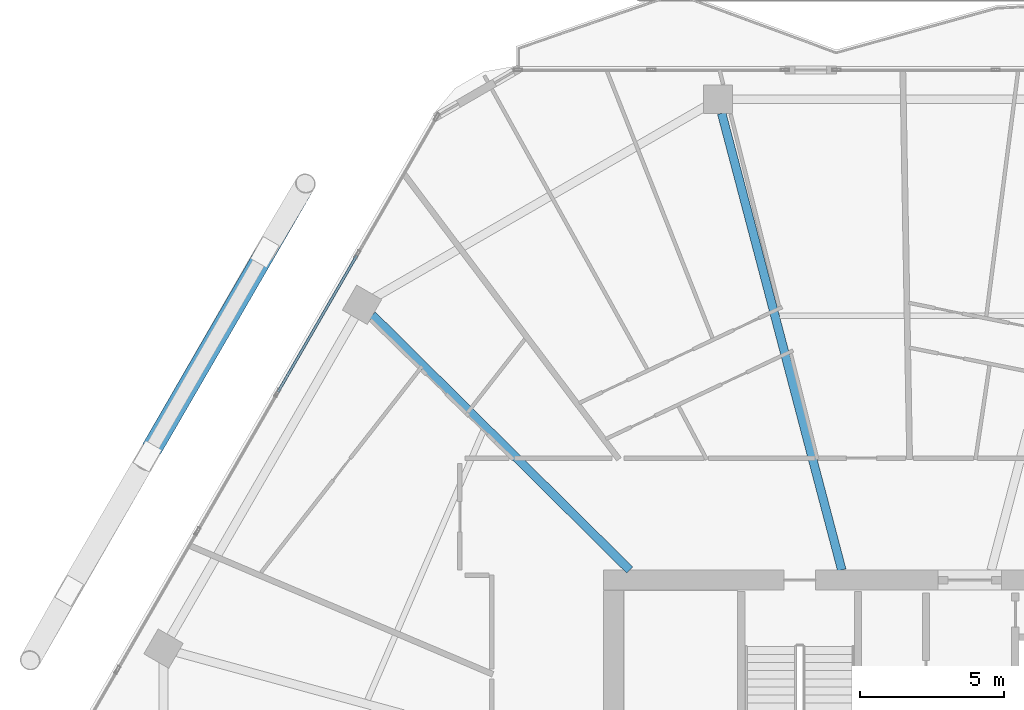
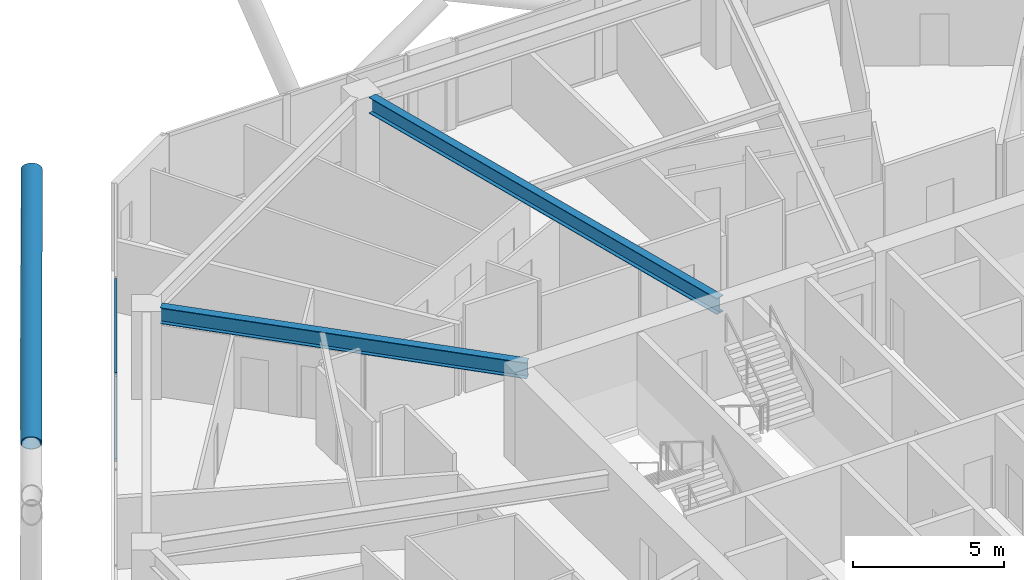
# One storey, part 13 of 29: 3 members, 2 beams, 1 element without a shape of its own.
"""IFC4 building model written with IfcOpenShell, lengths in metres."""

from ifc_helpers import new_model, si_unit, direction, frame, origin, origin_2d, place, context, subcontext, project, spatial, hollow_rectangle, hollow_circle, i_section, extrude, material, material_profile, profile_set, type_object, element, aggregate, save


model = new_model("IFC4")

# Units and contexts
model_context = context("Model", 3, precision=1e-05, world=origin(), true_north=direction((0.0, 1.0)))
body_context = subcontext(model_context, "Body", "Model", "MODEL_VIEW")
ifc_project = project(units=[si_unit("LENGTHUNIT", "METRE"), si_unit("AREAUNIT", "SQUARE_METRE"), si_unit("VOLUMEUNIT", "CUBIC_METRE"), si_unit("PLANEANGLEUNIT", "RADIAN"), si_unit("MASSUNIT", "GRAM", prefix="KILO")], contexts=[model_context])

# Site, building, storey
site_placement = place(None, origin())
site = spatial("IfcSite", under=ifc_project, at=site_placement, CompositionType="ELEMENT")
building_placement = place(site_placement, origin())
building = spatial("IfcBuilding", under=site, at=building_placement, Name="Zuhravey Tower", CompositionType="ELEMENT")
storey_placement = place(building_placement, frame((0.0, 0.0, 184.60009765625)))
storey = spatial("IfcBuildingStorey", under=building, at=storey_placement, Name="L46", CompositionType="ELEMENT", Elevation=184.60009765625)

# Curtain wall, members
ifc_material_1 = material(Name="Thermally broken anodised aluminium", Category="aluminium")
curtain_wall_type = type_object("IfcCurtainWallType", Name="Zone 1-2 Residential Curtain Wall CW3", PredefinedType="NOTDEFINED", material=ifc_material_1)
curtain_wall_placement = place(storey_placement, origin())
curtain_wall = element("IfcCurtainWall", 1, at=curtain_wall_placement, inside=storey, type_object=curtain_wall_type, Name="L46 CW3 CW-L46-F3-1", PredefinedType="NOTDEFINED")
ifc_material_2 = material(Name="Anodised aluminium", Category="aluminium")
ifc_material_profile_1 = material_profile(ifc_material_2, hollow_rectangle(XDim=0.090087890625, YDim=0.14990234375, WallThickness=0.0048828125, at=origin_2d()), Name="ALU-RHS-90x150x5")
ifc_profile_set_1 = profile_set([ifc_material_profile_1], Name="Anodised aluminium")
member_type_1 = type_object("IfcMemberType", Name="Curtain-Wall Transom 90x150", PredefinedType="USERDEFINED", material=ifc_profile_set_1)
member_1_placement = place(storey_placement, frame((13.867431640625, 48.03125, 0.044921875), z_axis=(0.49996138257, 0.86604769842, 0.0), x_axis=(-0.86604769842, 0.49996138257, 0.0)))
member_1 = element("IfcMember", 2, at=member_1_placement, type_object=member_type_1, Name="CW3 transom 4.1", ObjectType="TRANSOM", PredefinedType="USERDEFINED", context=body_context, shape_type="SweptSolid", body=[
    extrude(hollow_rectangle(XDim=0.090087890625, YDim=0.14990234375, WallThickness=0.0048828125, at=origin_2d()), origin(), (0.0, 0.0, 1.0), 5.45458984375),
])
member_2_placement = place(storey_placement, frame((13.867431640625, 48.03125, 3.5048828125), z_axis=(0.49996138257, 0.86604769842, 0.0), x_axis=(-0.86604769842, 0.49996138257, 0.0)))
member_2 = element("IfcMember", 3, at=member_2_placement, type_object=member_type_1, Name="CW3 transom 4.2", ObjectType="TRANSOM", PredefinedType="USERDEFINED", context=body_context, shape_type="SweptSolid", body=[
    extrude(hollow_rectangle(XDim=0.090087890625, YDim=0.14990234375, WallThickness=0.0048828125, at=origin_2d()), origin(), (0.0, 0.0, 1.0), 5.45458984375),
])
aggregate(curtain_wall, [member_1, member_2])

# Member
ifc_material_3 = material(Name="Steel SM460", Category="steel")
ifc_material_profile_2 = material_profile(ifc_material_3, hollow_circle(Radius=0.355712890625, WallThickness=0.031982421875, at=origin_2d()), Name="CHS-711.2x32")
ifc_profile_set_2 = profile_set([ifc_material_profile_2], Name="Steel SM460")
member_type_2 = type_object("IfcMemberType", Name="Exoskeleton Zone 2 Diagrid CHS711x32", PredefinedType="BRACE", material=ifc_profile_set_2)
member_3_placement = place(storey_placement, frame((9.49951171875, 46.075439453125, 3.44921875), z_axis=(0.473462117966, 0.817437222885, 0.328070128927), x_axis=(-0.865330340591, 0.501201956953, 0.0)))
element("IfcMember", 4, at=member_3_placement, inside=storey, type_object=member_type_2, Name="L46 Face 3 Split Diagrid Brace 3B", PredefinedType="BRACE", context=body_context, shape_type="SweptSolid", body=[
    extrude(hollow_circle(Radius=0.355712890625, WallThickness=0.031982421875, at=origin_2d()), origin(), (0.0, 0.0, 1.0), 11.190185546875),
])

# Beams
ifc_material_4 = material(Name="Steel SM355", Category="steel")
ifc_material_profile_3 = material_profile(ifc_material_4, i_section(OverallWidth=0.300048828125, OverallDepth=0.64990234375, WebThickness=0.012939453125, FlangeThickness=0.02197265625, at=origin_2d()), Name="H-650x300x13x22")
ifc_profile_set_3 = profile_set([ifc_material_profile_3], Name="Steel SM355")
beam_type = type_object("IfcBeamType", Name="Radial Primary Girder H650x300", PredefinedType="BEAM", material=ifc_profile_set_3)
beam_1_placement = place(storey_placement, frame((33.4091796875, 41.85302734375, 3.224853515625), z_axis=(-0.254300244998, 0.967125320418, 0.0), x_axis=(-0.967125320418, -0.254300244998, 0.0)))
element("IfcBeam", 5, at=beam_1_placement, inside=storey, type_object=beam_type, Name="L46 RG2 BM-L46-RAD-04", PredefinedType="BEAM", context=body_context, shape_type="SweptSolid", body=[
    extrude(i_section(OverallWidth=0.300048828125, OverallDepth=0.64990234375, WebThickness=0.012939453125, FlangeThickness=0.02197265625, at=origin_2d()), origin(), (0.0, 0.0, 1.0), 16.371826171875),
])
beam_2_placement = place(storey_placement, frame((26.054443359375, 41.85302734375, 3.224853515625), z_axis=(-0.71040353357, 0.703794586148, 0.0), x_axis=(-0.703794586148, -0.71040353357, 0.0)))
element("IfcBeam", 6, at=beam_2_placement, inside=storey, type_object=beam_type, Name="L46 RG2 BM-L46-RAD-05", PredefinedType="BEAM", context=body_context, shape_type="SweptSolid", body=[
    extrude(i_section(OverallWidth=0.300048828125, OverallDepth=0.64990234375, WebThickness=0.012939453125, FlangeThickness=0.02197265625, at=origin_2d()), origin(), (0.0, 0.0, 1.0), 12.559814453125),
])

save(model, "model.ifc")
